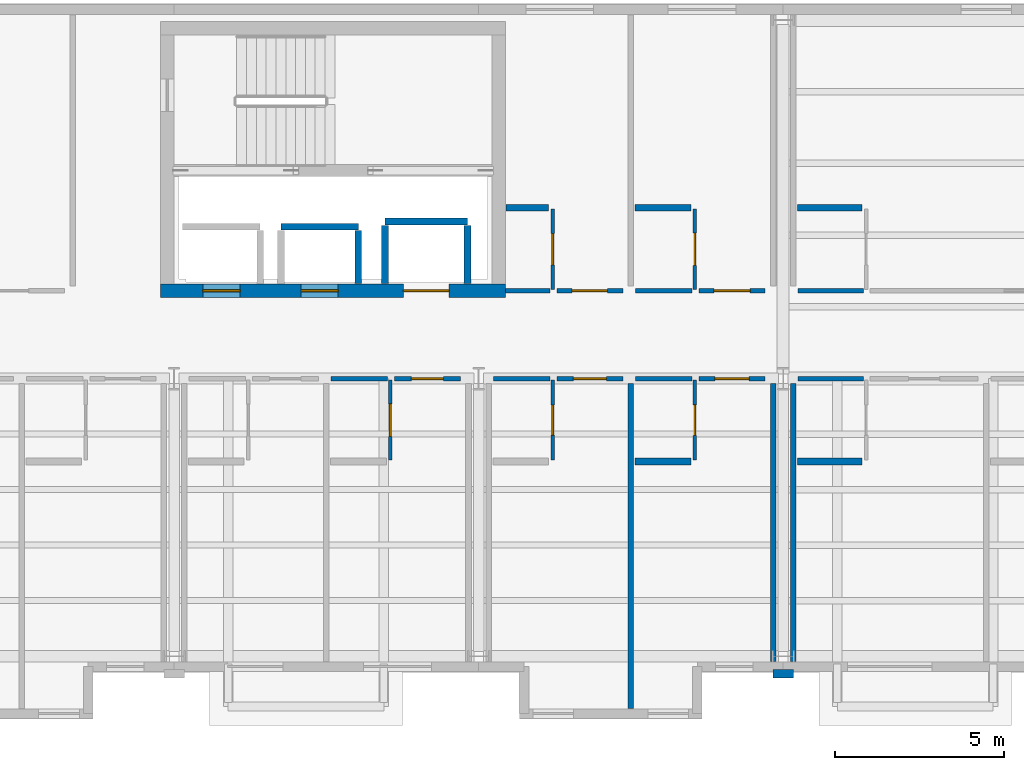
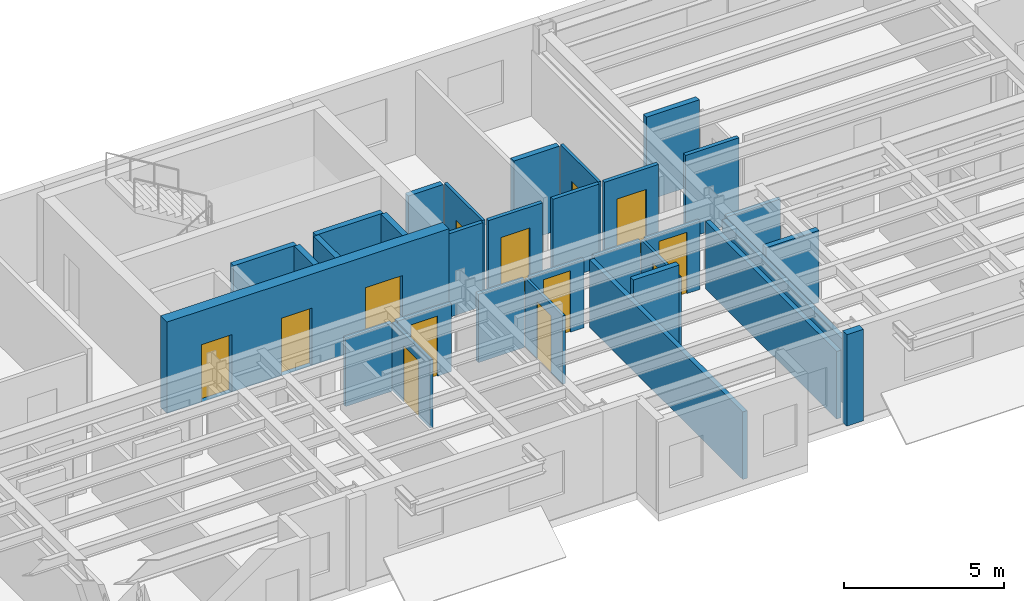
# One storey, part 12 of 23: 32 walls, 13 doors, 13 openings.
"""IFC4 building model written with IfcOpenShell, lengths in metres."""

from ifc_helpers import new_model, si_unit, direction, frame, frame_2d, origin, place, context, subcontext, project, spatial, rectangle, extrude, material, layer, layer_set, type_object, element, fill, save


model = new_model("IFC4")

# Units and contexts
model_context = context("Model", 3, precision=1e-05, world=origin(), true_north=direction((0.0, 1.0)))
body_context = subcontext(model_context, "Body", "Model", "MODEL_VIEW")
ifc_project = project(units=[si_unit("LENGTHUNIT", "METRE"), si_unit("AREAUNIT", "SQUARE_METRE"), si_unit("VOLUMEUNIT", "CUBIC_METRE"), si_unit("PLANEANGLEUNIT", "RADIAN"), si_unit("MASSUNIT", "GRAM", prefix="KILO")], contexts=[model_context])

# Site, building, storey
site_placement = place(None, origin())
site = spatial("IfcSite", under=ifc_project, at=site_placement, CompositionType="ELEMENT")
building_placement = place(site_placement, origin())
building = spatial("IfcBuilding", under=site, at=building_placement, Name="Sollismere Congress Hotel", CompositionType="ELEMENT")
storey_placement = place(building_placement, frame((0.0, 0.0, 30.60009765625)))
storey = spatial("IfcBuildingStorey", under=building, at=storey_placement, Name="L07", CompositionType="ELEMENT", Elevation=30.60009765625)

# Walls
ifc_material_1 = material(Name="Carved Travertine Pilaster & Frieze Assembly", Category="masonry")
ifc_layer_1 = layer(ifc_material_1, 0.260009765625, Name="Carved Travertine Pilaster & Frieze Assembly")
ifc_layer_set_1 = layer_set([ifc_layer_1], Name="Carved Travertine Pilaster & Frieze Assembly")
wall_type_1 = type_object("IfcWallType", Name="WL-PIL280", PredefinedType="ELEMENTEDWALL", material=ifc_layer_set_1)
wall_1_placement = place(storey_placement, frame((111.699951171875, -0.52001953125, 0.0), z_axis=(0.0, 0.0, 1.0), x_axis=(1.0, 0.0, 0.0)))
element("IfcWall", 1, at=wall_1_placement, inside=storey, type_object=wall_type_1, Name="Exterior wall EW-L07-754", PredefinedType="ELEMENTEDWALL", context=body_context, shape_type="SweptSolid", body=[
    extrude(rectangle(XDim=0.60009765625, YDim=0.260009765625, at=frame_2d((0.300048828125, 0.0))), origin(), (0.0, 0.0, 1.0), 3.5),
])
ifc_material_2 = material(Name="Moisture-Resistant Shaft Gypsum Assembly")
ifc_layer_2 = layer(ifc_material_2, 0.199951171875, Name="Moisture-Resistant Shaft Gypsum Assembly")
ifc_layer_set_2 = layer_set([ifc_layer_2], Name="Moisture-Resistant Shaft Gypsum Assembly")
wall_type_2 = type_object("IfcWallType", Name="WL-PLM200", PredefinedType="PLUMBINGWALL", material=ifc_layer_set_2)
wall_2_placement = place(storey_placement, frame((97.155029296875, 12.68994140625, 0.0), z_axis=(0.0, 0.0, 1.0), x_axis=(1.0, 0.0, 0.0)))
element("IfcWall", 2, at=wall_2_placement, inside=storey, type_object=wall_type_2, Name="Interior wall IW-L07-0320", PredefinedType="PLUMBINGWALL", context=body_context, shape_type="SweptSolid", body=[
    extrude(rectangle(XDim=2.2900390625, YDim=0.199951171875, at=frame_2d((1.14501953125, 0.0))), origin(), (0.0, 0.0, 1.0), 3.199951171875),
])
wall_3_placement = place(storey_placement, frame((99.445068359375, 11.011962890625, 0.0), z_axis=(0.0, 0.0, 1.0), x_axis=(0.0, 1.0, 0.0)))
element("IfcWall", 3, at=wall_3_placement, inside=storey, type_object=wall_type_2, Name="Interior wall IW-L07-0322", PredefinedType="PLUMBINGWALL", context=body_context, shape_type="SweptSolid", body=[
    extrude(rectangle(XDim=1.56591796875, YDim=0.199951171875, at=frame_2d((0.782958984375, 0.0))), origin(), (0.0, 0.0, 1.0), 3.199951171875),
])
wall_4_placement = place(storey_placement, frame((100.22998046875, 12.844970703125, 0.0), z_axis=(0.0, 0.0, 1.0), x_axis=(1.0, 0.0, 0.0)))
element("IfcWall", 4, at=wall_4_placement, inside=storey, type_object=wall_type_2, Name="Interior wall IW-L07-0323", PredefinedType="PLUMBINGWALL", context=body_context, shape_type="SweptSolid", body=[
    extrude(rectangle(XDim=2.43994140625, YDim=0.199951171875, at=frame_2d((1.219970703125, 0.0))), origin(), (0.0, 0.0, 1.0), 3.199951171875),
])
for number, where, z_axis, x_axis, name in (
    (5, (100.22998046875, 11.011962890625, 0.0), (0.0, 0.0, 1.0), (0.0, 1.0, 0.0), "Interior wall IW-L07-0324"),
    (6, (102.669921875, 11.011962890625, 0.0), (0.0, 0.0, 1.0), (0.0, 1.0, 0.0), "Interior wall IW-L07-0325"),
):
    element("IfcWall", number, at=place(storey_placement, frame(where, z_axis=z_axis, x_axis=x_axis)), inside=storey, type_object=wall_type_2, Name=name, PredefinedType="PLUMBINGWALL", context=body_context, shape_type="SweptSolid", body=[
        extrude(rectangle(XDim=1.720947265625, YDim=0.199951171875, at=frame_2d((0.8603515625, 0.0))), origin(), (0.0, 0.0, 1.0), 3.199951171875),
    ])
wall_5_placement = place(storey_placement, frame((107.6201171875, 5.75, 0.0), z_axis=(0.0, 0.0, 1.0), x_axis=(1.0, 0.0, 0.0)))
element("IfcWall", 7, at=wall_5_placement, inside=storey, type_object=wall_type_2, Name="Interior wall IW-L07-2281", PredefinedType="PLUMBINGWALL", context=body_context, shape_type="SweptSolid", body=[
    extrude(rectangle(XDim=1.64990234375, YDim=0.199951171875, at=frame_2d((0.824951171875, 0.0))), origin(), (0.0, 0.0, 1.0), 3.199951171875),
])
wall_6_placement = place(storey_placement, frame((103.81201171875, 13.25, 0.0), z_axis=(0.0, 0.0, 1.0), x_axis=(1.0, 0.0, 0.0)))
element("IfcWall", 8, at=wall_6_placement, inside=storey, type_object=wall_type_2, Name="Interior wall IW-L07-2286", PredefinedType="PLUMBINGWALL", context=body_context, shape_type="SweptSolid", body=[
    extrude(rectangle(XDim=1.258056640625, YDim=0.199951171875, at=frame_2d((0.62890625, 0.0))), origin(), (0.0, 0.0, 1.0), 3.199951171875),
])
wall_7_placement = place(storey_placement, frame((107.6201171875, 13.25, 0.0), z_axis=(0.0, 0.0, 1.0), x_axis=(1.0, 0.0, 0.0)))
element("IfcWall", 9, at=wall_7_placement, inside=storey, type_object=wall_type_2, Name="Interior wall IW-L07-2291", PredefinedType="PLUMBINGWALL", context=body_context, shape_type="SweptSolid", body=[
    extrude(rectangle(XDim=1.64990234375, YDim=0.199951171875, at=frame_2d((0.824951171875, 0.0))), origin(), (0.0, 0.0, 1.0), 3.199951171875),
])
wall_8_placement = place(storey_placement, frame((112.419921875, 5.75, 0.0), z_axis=(0.0, 0.0, 1.0), x_axis=(1.0, 0.0, 0.0)))
element("IfcWall", 10, at=wall_8_placement, inside=storey, type_object=wall_type_2, Name="Interior wall IW-L07-2297", PredefinedType="PLUMBINGWALL", context=body_context, shape_type="SweptSolid", body=[
    extrude(rectangle(XDim=1.91015625, YDim=0.199951171875, at=frame_2d((0.955078125, 0.0))), origin(), (0.0, 0.0, 1.0), 2.7529296875),
])
wall_9_placement = place(storey_placement, frame((112.419921875, 13.25, 0.0), z_axis=(0.0, 0.0, 1.0), x_axis=(1.0, 0.0, 0.0)))
element("IfcWall", 11, at=wall_9_placement, inside=storey, type_object=wall_type_2, Name="Interior wall IW-L07-2308", PredefinedType="PLUMBINGWALL", context=body_context, shape_type="SweptSolid", body=[
    extrude(rectangle(XDim=1.91015625, YDim=0.199951171875, at=frame_2d((0.955078125, 0.0))), origin(), (0.0, 0.0, 1.0), 3.199951171875),
])

# Wall, opening, door
ifc_material_3 = material(Name="Moisture-Resistant Gypsum Partition")
ifc_layer_3 = layer(ifc_material_3, 0.10009765625, Name="Moisture-Resistant Gypsum Partition")
ifc_layer_set_3 = layer_set([ifc_layer_3], Name="Moisture-Resistant Gypsum Partition")
wall_type_3 = type_object("IfcWallType", Name="WL-PRT100", PredefinedType="PARTITIONING", material=ifc_layer_set_3)
wall_10_placement = place(storey_placement, frame((100.389892578125, 5.7900390625, 0.0), z_axis=(0.0, 0.0, 1.0), x_axis=(0.0, 1.0, 0.0)))
wall_10 = element("IfcWall", 12, at=wall_10_placement, inside=storey, type_object=wall_type_3, Name="Interior wall IW-L07-2269", PredefinedType="PARTITIONING", context=body_context, shape_type="SweptSolid", body=[
    extrude(rectangle(XDim=2.369873046875, YDim=0.10009765625, at=frame_2d((1.18505859375, 0.0))), origin(), (0.0, 0.0, 1.0), 2.61279296875),
])
opening_1_placement = place(wall_10_placement, frame((0.7080078125, 0.0, 0.0)))
opening_1 = element("IfcOpeningElement", 13, at=opening_1_placement, cuts=wall_10, Name="Opening D-L07-0801", PredefinedType="OPENING", context=body_context, shape_type="SweptSolid", body=[
    extrude(rectangle(XDim=0.955078125, YDim=2.139892578125, at=frame_2d((0.4775390625, 1.06982421875))), frame((0.0, 0.06005859375, 0.0), z_axis=(0.0, -1.0, 0.0), x_axis=(1.0, 0.0, 0.0)), (0.0, 0.0, 1.0), 0.1201171875),
])
ifc_material_4 = material(Name="Moisture-Sealed Timber Bathroom Door", Category="wood")
door_type_1 = type_object("IfcDoorType", Name="DR-BT04", OperationType="NOTDEFINED", PredefinedType="DOOR", material=ifc_material_4)
door_1_placement = place(opening_1_placement, origin())
door_1 = element("IfcDoor", 14, at=door_1_placement, inside=storey, type_object=door_type_1, Name="En-suite bathroom door D-L07-0801", OperationType="SINGLE_SWING_RIGHT", OverallHeight=2.139892578125, OverallWidth=0.955078125, PredefinedType="DOOR", context=body_context, shape_type="SweptSolid", body=[
    extrude(rectangle(XDim=0.955078125, YDim=2.139892578125, at=frame_2d((0.4775390625, 1.06982421875))), frame((0.0, 0.02490234375, 0.0), z_axis=(0.0, -1.0, 0.0), x_axis=(1.0, 0.0, 0.0)), (0.0, 0.0, 1.0), 0.050048828125),
])
fill(opening_1, door_1)

wall_11_placement = place(storey_placement, frame((105.18994140625, 5.7900390625, 0.0), z_axis=(0.0, 0.0, 1.0), x_axis=(0.0, 1.0, 0.0)))
wall_11 = element("IfcWall", 15, at=wall_11_placement, inside=storey, type_object=wall_type_3, Name="Interior wall IW-L07-2275", PredefinedType="PARTITIONING", context=body_context, shape_type="SweptSolid", body=[
    extrude(rectangle(XDim=2.369873046875, YDim=0.10009765625, at=frame_2d((1.18505859375, 0.0))), origin(), (0.0, 0.0, 1.0), 2.61279296875),
])
opening_2_placement = place(wall_11_placement, frame((0.7451171875, 0.0, 0.0)))
opening_2 = element("IfcOpeningElement", 16, at=opening_2_placement, cuts=wall_11, Name="Opening D-L07-0803", PredefinedType="OPENING", context=body_context, shape_type="SweptSolid", body=[
    extrude(rectangle(XDim=0.8798828125, YDim=2.179931640625, at=frame_2d((0.43994140625, 1.08984375))), frame((0.0, 0.06005859375, 0.0), z_axis=(0.0, -1.0, 0.0), x_axis=(1.0, 0.0, 0.0)), (0.0, 0.0, 1.0), 0.1201171875),
])
door_type_2 = type_object("IfcDoorType", Name="DR-BT05", OperationType="NOTDEFINED", PredefinedType="DOOR", material=ifc_material_4)
door_2_placement = place(opening_2_placement, origin())
door_2 = element("IfcDoor", 17, at=door_2_placement, inside=storey, type_object=door_type_2, Name="En-suite bathroom door D-L07-0803", OperationType="SINGLE_SWING_RIGHT", OverallHeight=2.179931640625, OverallWidth=0.8798828125, PredefinedType="DOOR", context=body_context, shape_type="SweptSolid", body=[
    extrude(rectangle(XDim=0.8798828125, YDim=2.179931640625, at=frame_2d((0.43994140625, 1.08984375))), frame((0.0, 0.02490234375, 0.0), z_axis=(0.0, -1.0, 0.0), x_axis=(1.0, 0.0, 0.0)), (0.0, 0.0, 1.0), 0.050048828125),
])
fill(opening_2, door_2)

wall_12_placement = place(storey_placement, frame((109.389892578125, 5.7900390625, 0.0), z_axis=(0.0, 0.0, 1.0), x_axis=(0.0, 1.0, 0.0)))
wall_12 = element("IfcWall", 18, at=wall_12_placement, inside=storey, type_object=wall_type_3, Name="Interior wall IW-L07-2280", PredefinedType="PARTITIONING", context=body_context, shape_type="SweptSolid", body=[
    extrude(rectangle(XDim=2.369873046875, YDim=0.10009765625, at=frame_2d((1.18505859375, 0.0))), origin(), (0.0, 0.0, 1.0), 2.61279296875),
])
opening_3_placement = place(wall_12_placement, frame((0.73291015625, 0.0, 0.0)))
opening_3 = element("IfcOpeningElement", 19, at=opening_3_placement, cuts=wall_12, Name="Opening D-L07-0805", PredefinedType="OPENING", context=body_context, shape_type="SweptSolid", body=[
    extrude(rectangle(XDim=0.905029296875, YDim=2.179931640625, at=frame_2d((0.45263671875, 1.08984375))), frame((0.0, 0.06005859375, 0.0), z_axis=(0.0, -1.0, 0.0), x_axis=(1.0, 0.0, 0.0)), (0.0, 0.0, 1.0), 0.1201171875),
])
door_type_3 = type_object("IfcDoorType", Name="DR-BT06", OperationType="NOTDEFINED", PredefinedType="DOOR", material=ifc_material_4)
door_3_placement = place(opening_3_placement, origin())
door_3 = element("IfcDoor", 20, at=door_3_placement, inside=storey, type_object=door_type_3, Name="En-suite bathroom door D-L07-0805", OperationType="SINGLE_SWING_RIGHT", OverallHeight=2.179931640625, OverallWidth=0.905029296875, PredefinedType="DOOR", context=body_context, shape_type="SweptSolid", body=[
    extrude(rectangle(XDim=0.905029296875, YDim=2.179931640625, at=frame_2d((0.45263671875, 1.08984375))), frame((0.0, 0.02490234375, 0.0), z_axis=(0.0, -1.0, 0.0), x_axis=(1.0, 0.0, 0.0)), (0.0, 0.0, 1.0), 0.050048828125),
])
fill(opening_3, door_3)

wall_13_placement = place(storey_placement, frame((105.18994140625, 10.840087890625, 0.0), z_axis=(0.0, 0.0, 1.0), x_axis=(0.0, 1.0, 0.0)))
wall_13 = element("IfcWall", 21, at=wall_13_placement, inside=storey, type_object=wall_type_3, Name="Interior wall IW-L07-2285", PredefinedType="PARTITIONING", context=body_context, shape_type="SweptSolid", body=[
    extrude(rectangle(XDim=2.369873046875, YDim=0.10009765625, at=frame_2d((1.18505859375, 0.0))), origin(), (0.0, 0.0, 1.0), 3.199951171875),
])
opening_4_placement = place(wall_13_placement, frame((0.719970703125, 0.0, 0.0)))
opening_4 = element("IfcOpeningElement", 22, at=opening_4_placement, cuts=wall_13, Name="Opening D-L07-0807", PredefinedType="OPENING", context=body_context, shape_type="SweptSolid", body=[
    extrude(rectangle(XDim=0.929931640625, YDim=2.219970703125, at=frame_2d((0.46484375, 1.10986328125))), frame((0.0, 0.06005859375, 0.0), z_axis=(0.0, -1.0, 0.0), x_axis=(1.0, 0.0, 0.0)), (0.0, 0.0, 1.0), 0.1201171875),
])
door_type_4 = type_object("IfcDoorType", Name="DR-BT07", OperationType="NOTDEFINED", PredefinedType="DOOR", material=ifc_material_4)
door_4_placement = place(opening_4_placement, origin())
door_4 = element("IfcDoor", 23, at=door_4_placement, inside=storey, type_object=door_type_4, Name="En-suite bathroom door D-L07-0807", OperationType="SINGLE_SWING_RIGHT", OverallHeight=2.219970703125, OverallWidth=0.929931640625, PredefinedType="DOOR", context=body_context, shape_type="SweptSolid", body=[
    extrude(rectangle(XDim=0.929931640625, YDim=2.219970703125, at=frame_2d((0.46484375, 1.10986328125))), frame((0.0, 0.02490234375, 0.0), z_axis=(0.0, -1.0, 0.0), x_axis=(1.0, 0.0, 0.0)), (0.0, 0.0, 1.0), 0.050048828125),
])
fill(opening_4, door_4)

wall_14_placement = place(storey_placement, frame((109.389892578125, 10.840087890625, 0.0), z_axis=(0.0, 0.0, 1.0), x_axis=(0.0, 1.0, 0.0)))
wall_14 = element("IfcWall", 24, at=wall_14_placement, inside=storey, type_object=wall_type_3, Name="Interior wall IW-L07-2290", PredefinedType="PARTITIONING", context=body_context, shape_type="SweptSolid", body=[
    extrude(rectangle(XDim=2.369873046875, YDim=0.10009765625, at=frame_2d((1.18505859375, 0.0))), origin(), (0.0, 0.0, 1.0), 3.199951171875),
])
opening_5_placement = place(wall_14_placement, frame((0.7080078125, 0.0, 0.0)))
opening_5 = element("IfcOpeningElement", 25, at=opening_5_placement, cuts=wall_14, Name="Opening D-L07-0809", PredefinedType="OPENING", context=body_context, shape_type="SweptSolid", body=[
    extrude(rectangle(XDim=0.955078125, YDim=2.219970703125, at=frame_2d((0.4775390625, 1.10986328125))), frame((0.0, 0.06005859375, 0.0), z_axis=(0.0, -1.0, 0.0), x_axis=(1.0, 0.0, 0.0)), (0.0, 0.0, 1.0), 0.1201171875),
])
door_type_5 = type_object("IfcDoorType", Name="DR-BT08", OperationType="NOTDEFINED", PredefinedType="DOOR", material=ifc_material_4)
door_5_placement = place(opening_5_placement, origin())
door_5 = element("IfcDoor", 26, at=door_5_placement, inside=storey, type_object=door_type_5, Name="En-suite bathroom door D-L07-0809", OperationType="SINGLE_SWING_RIGHT", OverallHeight=2.219970703125, OverallWidth=0.955078125, PredefinedType="DOOR", context=body_context, shape_type="SweptSolid", body=[
    extrude(rectangle(XDim=0.955078125, YDim=2.219970703125, at=frame_2d((0.4775390625, 1.10986328125))), frame((0.0, 0.02490234375, 0.0), z_axis=(0.0, -1.0, 0.0), x_axis=(1.0, 0.0, 0.0)), (0.0, 0.0, 1.0), 0.050048828125),
])
fill(opening_5, door_5)

# Wall
ifc_material_5 = material(Name="Fire-Rated Gypsum Partition")
ifc_layer_4 = layer(ifc_material_5, 0.139892578125, Name="Fire-Rated Gypsum Partition")
ifc_layer_set_4 = layer_set([ifc_layer_4], Name="Fire-Rated Gypsum Partition")
wall_type_4 = type_object("IfcWallType", Name="WL-PRT140R", PredefinedType="PARTITIONING", material=ifc_layer_set_4)
wall_15_placement = place(storey_placement, frame((98.639892578125, 8.199951171875, 0.0), z_axis=(0.0, 0.0, 1.0), x_axis=(1.0, 0.0, 0.0)))
element("IfcWall", 27, at=wall_15_placement, inside=storey, type_object=wall_type_4, Name="Interior wall IW-L07-2266", PredefinedType="PARTITIONING", context=body_context, shape_type="SweptSolid", body=[
    extrude(rectangle(XDim=1.670166015625, YDim=0.139892578125, at=frame_2d((0.8349609375, 0.0))), origin(), (0.0, 0.0, 1.0), 2.61279296875),
])

# Wall, opening, door
wall_16_placement = place(storey_placement, frame((100.510009765625, 8.199951171875, 0.0), z_axis=(0.0, 0.0, 1.0), x_axis=(1.0, 0.0, 0.0)))
wall_16 = element("IfcWall", 28, at=wall_16_placement, inside=storey, type_object=wall_type_4, Name="Interior wall IW-L07-2267", PredefinedType="PARTITIONING", context=body_context, shape_type="SweptSolid", body=[
    extrude(rectangle(XDim=1.949951171875, YDim=0.139892578125, at=frame_2d((0.97509765625, 0.0))), origin(), (0.0, 0.0, 1.0), 2.61279296875),
])
opening_6_placement = place(wall_16_placement, frame((0.5, 0.0, 0.0)))
opening_6 = element("IfcOpeningElement", 29, at=opening_6_placement, cuts=wall_16, Name="Opening D-L07-0800", PredefinedType="OPENING", context=body_context, shape_type="SweptSolid", body=[
    extrude(rectangle(XDim=0.949951171875, YDim=2.300048828125, at=frame_2d((0.47509765625, 1.14990234375))), frame((0.0, 0.079833984375, 0.0), z_axis=(0.0, -1.0, 0.0), x_axis=(1.0, 0.0, 0.0)), (0.0, 0.0, 1.0), 0.159912109375),
])
ifc_material_6 = material(Name="Solid-Core Acoustic Walnut Guestroom Entry Door")
door_type_6 = type_object("IfcDoorType", Name="DR-KY08", OperationType="NOTDEFINED", PredefinedType="DOOR", material=ifc_material_6)
door_6_placement = place(opening_6_placement, origin())
door_6 = element("IfcDoor", 30, at=door_6_placement, inside=storey, type_object=door_type_6, Name="Hotel room entry door D-L07-0800", OperationType="SINGLE_SWING_LEFT", OverallHeight=2.300048828125, OverallWidth=0.949951171875, PredefinedType="DOOR", context=body_context, shape_type="SweptSolid", body=[
    extrude(rectangle(XDim=0.949951171875, YDim=2.300048828125, at=frame_2d((0.47509765625, 1.14990234375))), frame((0.0, 0.02490234375, 0.0), z_axis=(0.0, -1.0, 0.0), x_axis=(1.0, 0.0, 0.0)), (0.0, 0.0, 1.0), 0.050048828125),
])
fill(opening_6, door_6)

# Wall
wall_17_placement = place(storey_placement, frame((103.43994140625, 8.199951171875, 0.0), z_axis=(0.0, 0.0, 1.0), x_axis=(1.0, 0.0, 0.0)))
element("IfcWall", 31, at=wall_17_placement, inside=storey, type_object=wall_type_4, Name="Interior wall IW-L07-2271", PredefinedType="PARTITIONING", context=body_context, shape_type="SweptSolid", body=[
    extrude(rectangle(XDim=1.670166015625, YDim=0.139892578125, at=frame_2d((0.8349609375, 0.0))), origin(), (0.0, 0.0, 1.0), 2.61279296875),
])

# Wall, opening, door
wall_18_placement = place(storey_placement, frame((105.31005859375, 8.199951171875, 0.0), z_axis=(0.0, 0.0, 1.0), x_axis=(1.0, 0.0, 0.0)))
wall_18 = element("IfcWall", 32, at=wall_18_placement, inside=storey, type_object=wall_type_4, Name="Interior wall IW-L07-2272", PredefinedType="PARTITIONING", context=body_context, shape_type="SweptSolid", body=[
    extrude(rectangle(XDim=1.949951171875, YDim=0.139892578125, at=frame_2d((0.97509765625, 0.0))), origin(), (0.0, 0.0, 1.0), 2.61279296875),
])
opening_7_placement = place(wall_18_placement, frame((0.485107421875, 0.0, 0.0)))
opening_7 = element("IfcOpeningElement", 33, at=opening_7_placement, cuts=wall_18, Name="Opening D-L07-0802", PredefinedType="OPENING", context=body_context, shape_type="SweptSolid", body=[
    extrude(rectangle(XDim=0.97998046875, YDim=2.35009765625, at=frame_2d((0.489990234375, 1.175048828125))), frame((0.0, 0.079833984375, 0.0), z_axis=(0.0, -1.0, 0.0), x_axis=(1.0, 0.0, 0.0)), (0.0, 0.0, 1.0), 0.159912109375),
])
door_type_7 = type_object("IfcDoorType", Name="DR-KY09", OperationType="NOTDEFINED", PredefinedType="DOOR", material=ifc_material_6)
door_7_placement = place(opening_7_placement, origin())
door_7 = element("IfcDoor", 34, at=door_7_placement, inside=storey, type_object=door_type_7, Name="Hotel room entry door D-L07-0802", OperationType="SINGLE_SWING_LEFT", OverallHeight=2.35009765625, OverallWidth=0.97998046875, PredefinedType="DOOR", context=body_context, shape_type="SweptSolid", body=[
    extrude(rectangle(XDim=0.97998046875, YDim=2.35009765625, at=frame_2d((0.489990234375, 1.175048828125))), frame((0.0, 0.02490234375, 0.0), z_axis=(0.0, -1.0, 0.0), x_axis=(1.0, 0.0, 0.0)), (0.0, 0.0, 1.0), 0.050048828125),
])
fill(opening_7, door_7)

# Wall
wall_19_placement = place(storey_placement, frame((107.639892578125, 8.199951171875, 0.0), z_axis=(0.0, 0.0, 1.0), x_axis=(1.0, 0.0, 0.0)))
element("IfcWall", 35, at=wall_19_placement, inside=storey, type_object=wall_type_4, Name="Interior wall IW-L07-2277", PredefinedType="PARTITIONING", context=body_context, shape_type="SweptSolid", body=[
    extrude(rectangle(XDim=1.670166015625, YDim=0.139892578125, at=frame_2d((0.8349609375, 0.0))), origin(), (0.0, 0.0, 1.0), 2.61279296875),
])

# Wall, opening, door
wall_20_placement = place(storey_placement, frame((109.510009765625, 8.199951171875, 0.0), z_axis=(0.0, 0.0, 1.0), x_axis=(1.0, 0.0, 0.0)))
wall_20 = element("IfcWall", 36, at=wall_20_placement, inside=storey, type_object=wall_type_4, Name="Interior wall IW-L07-2278", PredefinedType="PARTITIONING", context=body_context, shape_type="SweptSolid", body=[
    extrude(rectangle(XDim=1.949951171875, YDim=0.139892578125, at=frame_2d((0.97509765625, 0.0))), origin(), (0.0, 0.0, 1.0), 2.61279296875),
])
opening_8_placement = place(wall_20_placement, frame((0.469970703125, 0.0, 0.0)))
opening_8 = element("IfcOpeningElement", 37, at=opening_8_placement, cuts=wall_20, Name="Opening D-L07-0804", PredefinedType="OPENING", context=body_context, shape_type="SweptSolid", body=[
    extrude(rectangle(XDim=1.010009765625, YDim=2.35009765625, at=frame_2d((0.5048828125, 1.175048828125))), frame((0.0, 0.079833984375, 0.0), z_axis=(0.0, -1.0, 0.0), x_axis=(1.0, 0.0, 0.0)), (0.0, 0.0, 1.0), 0.159912109375),
])
door_type_8 = type_object("IfcDoorType", Name="DR-KY10", OperationType="NOTDEFINED", PredefinedType="DOOR", material=ifc_material_6)
door_8_placement = place(opening_8_placement, origin())
door_8 = element("IfcDoor", 38, at=door_8_placement, inside=storey, type_object=door_type_8, Name="Hotel room entry door D-L07-0804", OperationType="SINGLE_SWING_LEFT", OverallHeight=2.35009765625, OverallWidth=1.010009765625, PredefinedType="DOOR", context=body_context, shape_type="SweptSolid", body=[
    extrude(rectangle(XDim=1.010009765625, YDim=2.35009765625, at=frame_2d((0.5048828125, 1.175048828125))), frame((0.0, 0.02490234375, 0.0), z_axis=(0.0, -1.0, 0.0), x_axis=(1.0, 0.0, 0.0)), (0.0, 0.0, 1.0), 0.050048828125),
])
fill(opening_8, door_8)

# Wall
wall_21_placement = place(storey_placement, frame((103.800048828125, 10.800048828125, 0.0), z_axis=(0.0, 0.0, 1.0), x_axis=(1.0, 0.0, 0.0)))
element("IfcWall", 39, at=wall_21_placement, inside=storey, type_object=wall_type_4, Name="Interior wall IW-L07-2282", PredefinedType="PARTITIONING", context=body_context, shape_type="SweptSolid", body=[
    extrude(rectangle(XDim=1.31005859375, YDim=0.139892578125, at=frame_2d((0.655029296875, 0.0))), origin(), (0.0, 0.0, 1.0), 3.199951171875),
])

# Wall, opening, door
wall_22_placement = place(storey_placement, frame((105.31005859375, 10.800048828125, 0.0), z_axis=(0.0, 0.0, 1.0), x_axis=(1.0, 0.0, 0.0)))
wall_22 = element("IfcWall", 40, at=wall_22_placement, inside=storey, type_object=wall_type_4, Name="Interior wall IW-L07-2283", PredefinedType="PARTITIONING", context=body_context, shape_type="SweptSolid", body=[
    extrude(rectangle(XDim=1.949951171875, YDim=0.139892578125, at=frame_2d((0.97509765625, 0.0))), origin(), (0.0, 0.0, 1.0), 3.199951171875),
])
opening_9_placement = place(wall_22_placement, frame((0.455078125, 0.0, 0.0)))
opening_9 = element("IfcOpeningElement", 41, at=opening_9_placement, cuts=wall_22, Name="Opening D-L07-0806", PredefinedType="OPENING", context=body_context, shape_type="SweptSolid", body=[
    extrude(rectangle(XDim=1.0400390625, YDim=2.39990234375, at=frame_2d((0.52001953125, 1.199951171875))), frame((0.0, 0.079833984375, 0.0), z_axis=(0.0, -1.0, 0.0), x_axis=(1.0, 0.0, 0.0)), (0.0, 0.0, 1.0), 0.159912109375),
])
door_type_9 = type_object("IfcDoorType", Name="DR-KY11", OperationType="NOTDEFINED", PredefinedType="DOOR", material=ifc_material_6)
door_9_placement = place(opening_9_placement, origin())
door_9 = element("IfcDoor", 42, at=door_9_placement, inside=storey, type_object=door_type_9, Name="Hotel room entry door D-L07-0806", OperationType="SINGLE_SWING_LEFT", OverallHeight=2.39990234375, OverallWidth=1.0400390625, PredefinedType="DOOR", context=body_context, shape_type="SweptSolid", body=[
    extrude(rectangle(XDim=1.0400390625, YDim=2.39990234375, at=frame_2d((0.52001953125, 1.199951171875))), frame((0.0, 0.02490234375, 0.0), z_axis=(0.0, -1.0, 0.0), x_axis=(1.0, 0.0, 0.0)), (0.0, 0.0, 1.0), 0.050048828125),
])
fill(opening_9, door_9)

# Wall
wall_23_placement = place(storey_placement, frame((107.639892578125, 10.800048828125, 0.0), z_axis=(0.0, 0.0, 1.0), x_axis=(1.0, 0.0, 0.0)))
element("IfcWall", 43, at=wall_23_placement, inside=storey, type_object=wall_type_4, Name="Interior wall IW-L07-2287", PredefinedType="PARTITIONING", context=body_context, shape_type="SweptSolid", body=[
    extrude(rectangle(XDim=1.670166015625, YDim=0.139892578125, at=frame_2d((0.8349609375, 0.0))), origin(), (0.0, 0.0, 1.0), 3.199951171875),
])

# Wall, opening, door
wall_24_placement = place(storey_placement, frame((109.510009765625, 10.800048828125, 0.0), z_axis=(0.0, 0.0, 1.0), x_axis=(1.0, 0.0, 0.0)))
wall_24 = element("IfcWall", 44, at=wall_24_placement, inside=storey, type_object=wall_type_4, Name="Interior wall IW-L07-2288", PredefinedType="PARTITIONING", context=body_context, shape_type="SweptSolid", body=[
    extrude(rectangle(XDim=1.949951171875, YDim=0.139892578125, at=frame_2d((0.97509765625, 0.0))), origin(), (0.0, 0.0, 1.0), 3.199951171875),
])
opening_10_placement = place(wall_24_placement, frame((0.43994140625, 0.0, 0.0)))
opening_10 = element("IfcOpeningElement", 45, at=opening_10_placement, cuts=wall_24, Name="Opening D-L07-0808", PredefinedType="OPENING", context=body_context, shape_type="SweptSolid", body=[
    extrude(rectangle(XDim=1.070068359375, YDim=2.39990234375, at=frame_2d((0.53515625, 1.199951171875))), frame((0.0, 0.079833984375, 0.0), z_axis=(0.0, -1.0, 0.0), x_axis=(1.0, 0.0, 0.0)), (0.0, 0.0, 1.0), 0.159912109375),
])
door_type_10 = type_object("IfcDoorType", Name="DR-KY12", OperationType="NOTDEFINED", PredefinedType="DOOR", material=ifc_material_6)
door_10_placement = place(opening_10_placement, origin())
door_10 = element("IfcDoor", 46, at=door_10_placement, inside=storey, type_object=door_type_10, Name="Hotel room entry door D-L07-0808", OperationType="SINGLE_SWING_LEFT", OverallHeight=2.39990234375, OverallWidth=1.070068359375, PredefinedType="DOOR", context=body_context, shape_type="SweptSolid", body=[
    extrude(rectangle(XDim=1.070068359375, YDim=2.39990234375, at=frame_2d((0.53515625, 1.199951171875))), frame((0.0, 0.02490234375, 0.0), z_axis=(0.0, -1.0, 0.0), x_axis=(1.0, 0.0, 0.0)), (0.0, 0.0, 1.0), 0.050048828125),
])
fill(opening_10, door_10)

# Walls
wall_25_placement = place(storey_placement, frame((112.43994140625, 8.199951171875, 0.0), z_axis=(0.0, 0.0, 1.0), x_axis=(1.0, 0.0, 0.0)))
element("IfcWall", 47, at=wall_25_placement, inside=storey, type_object=wall_type_4, Name="Interior wall IW-L07-2292", PredefinedType="PARTITIONING", context=body_context, shape_type="SweptSolid", body=[
    extrude(rectangle(XDim=1.93017578125, YDim=0.139892578125, at=frame_2d((0.965087890625, 0.0))), origin(), (0.0, 0.0, 1.0), 2.43798828125),
])
wall_26_placement = place(storey_placement, frame((112.43994140625, 10.800048828125, 0.0), z_axis=(0.0, 0.0, 1.0), x_axis=(1.0, 0.0, 0.0)))
element("IfcWall", 48, at=wall_26_placement, inside=storey, type_object=wall_type_4, Name="Interior wall IW-L07-2303", PredefinedType="PARTITIONING", context=body_context, shape_type="SweptSolid", body=[
    extrude(rectangle(XDim=1.93017578125, YDim=0.139892578125, at=frame_2d((0.965087890625, 0.0))), origin(), (0.0, 0.0, 1.0), 3.199951171875),
])
ifc_material_7 = material(Name="Fire-Rated Acoustic Gypsum Partition")
ifc_layer_5 = layer(ifc_material_7, 0.1650390625, Name="Fire-Rated Acoustic Gypsum Partition")
ifc_layer_set_5 = layer_set([ifc_layer_5], Name="Fire-Rated Acoustic Gypsum Partition")
wall_type_5 = type_object("IfcWallType", Name="WL-PRT165R", PredefinedType="PARTITIONING", material=ifc_layer_set_5)
wall_27_placement = place(storey_placement, frame((107.5, -1.54248046875, 0.0), z_axis=(0.0, 0.0, 1.0), x_axis=(0.0, 1.0, 0.0)))
element("IfcWall", 49, at=wall_27_placement, inside=storey, type_object=wall_type_5, Name="Interior wall IW-L07-2274", PredefinedType="PARTITIONING", context=body_context, shape_type="SweptSolid", body=[
    extrude(rectangle(XDim=9.6025390625, YDim=0.1650390625, at=frame_2d((4.80126953125, 0.0))), origin(), (0.0, 0.0, 1.0), 2.58984375),
])
wall_28_placement = place(storey_placement, frame((111.699951171875, -0.152587890625, 0.0), z_axis=(0.0, 0.0, 1.0), x_axis=(0.0, 1.0, 0.0)))
element("IfcWall", 50, at=wall_28_placement, inside=storey, type_object=wall_type_5, Name="Interior wall IW-L07-2279", PredefinedType="PARTITIONING", context=body_context, shape_type="SweptSolid", body=[
    extrude(rectangle(XDim=8.212646484375, YDim=0.1650390625, at=frame_2d((4.1064453125, 0.0))), origin(), (0.0, 0.0, 1.0), 2.58984375),
])
wall_29_placement = place(storey_placement, frame((112.300048828125, -0.152587890625, 0.0), z_axis=(0.0, 0.0, 1.0), x_axis=(0.0, 1.0, 0.0)))
element("IfcWall", 51, at=wall_29_placement, inside=storey, type_object=wall_type_5, Name="Interior wall IW-L07-2294", PredefinedType="PARTITIONING", context=body_context, shape_type="SweptSolid", body=[
    extrude(rectangle(XDim=8.212646484375, YDim=0.1650390625, at=frame_2d((4.1064453125, 0.0))), origin(), (0.0, 0.0, 1.0), 2.43798828125),
])

# Wall, openings, doors
ifc_material_8 = material(Name="Concrete C50/60", Category="concrete")
ifc_layer_6 = layer(ifc_material_8, 0.39990234375, Name="Concrete C50/60")
ifc_layer_set_6 = layer_set([ifc_layer_6], Name="Concrete C50/60")
wall_type_6 = type_object("IfcWallType", Name="WL-SHR400", PredefinedType="SHEAR", material=ifc_layer_set_6)
wall_30_placement = place(storey_placement, frame((93.60009765625, 10.800048828125, 0.0), z_axis=(0.0, 0.0, 1.0), x_axis=(1.0, 0.0, 0.0)))
wall_30 = element("IfcWall", 52, at=wall_30_placement, inside=storey, type_object=wall_type_6, Name="Interior wall IW-L07-0313", PredefinedType="SHEAR", context=body_context, shape_type="SweptSolid", body=[
    extrude(rectangle(XDim=10.199951171875, YDim=0.39990234375, at=frame_2d((5.10009765625, 0.0))), origin(), (0.0, 0.0, 1.0), 3.5),
])
opening_11_placement = place(wall_30_placement, frame((1.25, 0.0, 0.0)))
opening_11 = element("IfcOpeningElement", 53, at=opening_11_placement, cuts=wall_30, Name="Opening LD-LP-03-L07", PredefinedType="OPENING", context=body_context, shape_type="SweptSolid", body=[
    extrude(rectangle(XDim=1.10009765625, YDim=2.199951171875, at=frame_2d((0.550048828125, 1.10009765625))), frame((0.0, 0.2099609375, 0.0), z_axis=(0.0, -1.0, 0.0), x_axis=(1.0, 0.0, 0.0)), (0.0, 0.0, 1.0), 0.419921875),
])
opening_12_placement = place(wall_30_placement, frame((4.14990234375, 0.0, 0.0)))
opening_12 = element("IfcOpeningElement", 54, at=opening_12_placement, cuts=wall_30, Name="Opening LD-LP-04-L07", PredefinedType="OPENING", context=body_context, shape_type="SweptSolid", body=[
    extrude(rectangle(XDim=1.10009765625, YDim=2.199951171875, at=frame_2d((0.550048828125, 1.10009765625))), frame((0.0, 0.2099609375, 0.0), z_axis=(0.0, -1.0, 0.0), x_axis=(1.0, 0.0, 0.0)), (0.0, 0.0, 1.0), 0.419921875),
])
opening_13_placement = place(wall_30_placement, frame((7.175048828125, 0.0, 0.0)))
opening_13 = element("IfcOpeningElement", 55, at=opening_13_placement, cuts=wall_30, Name="Opening LD-LS-01-L07", PredefinedType="OPENING", context=body_context, shape_type="SweptSolid", body=[
    extrude(rectangle(XDim=1.35009765625, YDim=2.300048828125, at=frame_2d((0.675048828125, 1.14990234375))), frame((0.0, 0.2099609375, 0.0), z_axis=(0.0, -1.0, 0.0), x_axis=(1.0, 0.0, 0.0)), (0.0, 0.0, 1.0), 0.419921875),
])
ifc_material_9 = material(Name="Brushed Bronze Sliding Elevator Landing Door")
door_type_11 = type_object("IfcDoorType", Name="DR-LD110", OperationType="NOTDEFINED", PredefinedType="DOOR", material=ifc_material_9)
door_11_placement = place(opening_11_placement, origin())
door_11 = element("IfcDoor", 56, at=door_11_placement, inside=storey, type_object=door_type_11, Name="Elevator landing door LD-LP-03-L07", OperationType="SLIDING_TO_LEFT", OverallHeight=2.199951171875, OverallWidth=1.10009765625, PredefinedType="DOOR", context=body_context, shape_type="SweptSolid", body=[
    extrude(rectangle(XDim=1.10009765625, YDim=2.199951171875, at=frame_2d((0.550048828125, 1.10009765625))), frame((0.0, 0.02490234375, 0.0), z_axis=(0.0, -1.0, 0.0), x_axis=(1.0, 0.0, 0.0)), (0.0, 0.0, 1.0), 0.050048828125),
])
fill(opening_11, door_11)
door_12_placement = place(opening_12_placement, origin())
door_12 = element("IfcDoor", 57, at=door_12_placement, inside=storey, type_object=door_type_11, Name="Elevator landing door LD-LP-04-L07", OperationType="SLIDING_TO_RIGHT", OverallHeight=2.199951171875, OverallWidth=1.10009765625, PredefinedType="DOOR", context=body_context, shape_type="SweptSolid", body=[
    extrude(rectangle(XDim=1.10009765625, YDim=2.199951171875, at=frame_2d((0.550048828125, 1.10009765625))), frame((0.0, 0.02490234375, 0.0), z_axis=(0.0, -1.0, 0.0), x_axis=(1.0, 0.0, 0.0)), (0.0, 0.0, 1.0), 0.050048828125),
])
fill(opening_12, door_12)
ifc_material_10 = material(Name="Heavy-Duty Stainless Sliding Service Landing Door")
door_type_12 = type_object("IfcDoorType", Name="DR-LD135", OperationType="NOTDEFINED", PredefinedType="DOOR", material=ifc_material_10)
door_13_placement = place(opening_13_placement, origin())
door_13 = element("IfcDoor", 58, at=door_13_placement, inside=storey, type_object=door_type_12, Name="Elevator landing door LD-LS-01-L07", OperationType="SLIDING_TO_LEFT", OverallHeight=2.300048828125, OverallWidth=1.35009765625, PredefinedType="DOOR", context=body_context, shape_type="SweptSolid", body=[
    extrude(rectangle(XDim=1.35009765625, YDim=2.300048828125, at=frame_2d((0.675048828125, 1.14990234375))), frame((0.0, 0.02490234375, 0.0), z_axis=(0.0, -1.0, 0.0), x_axis=(1.0, 0.0, 0.0)), (0.0, 0.0, 1.0), 0.050048828125),
])
fill(opening_13, door_13)

save(model, "model.ifc")
